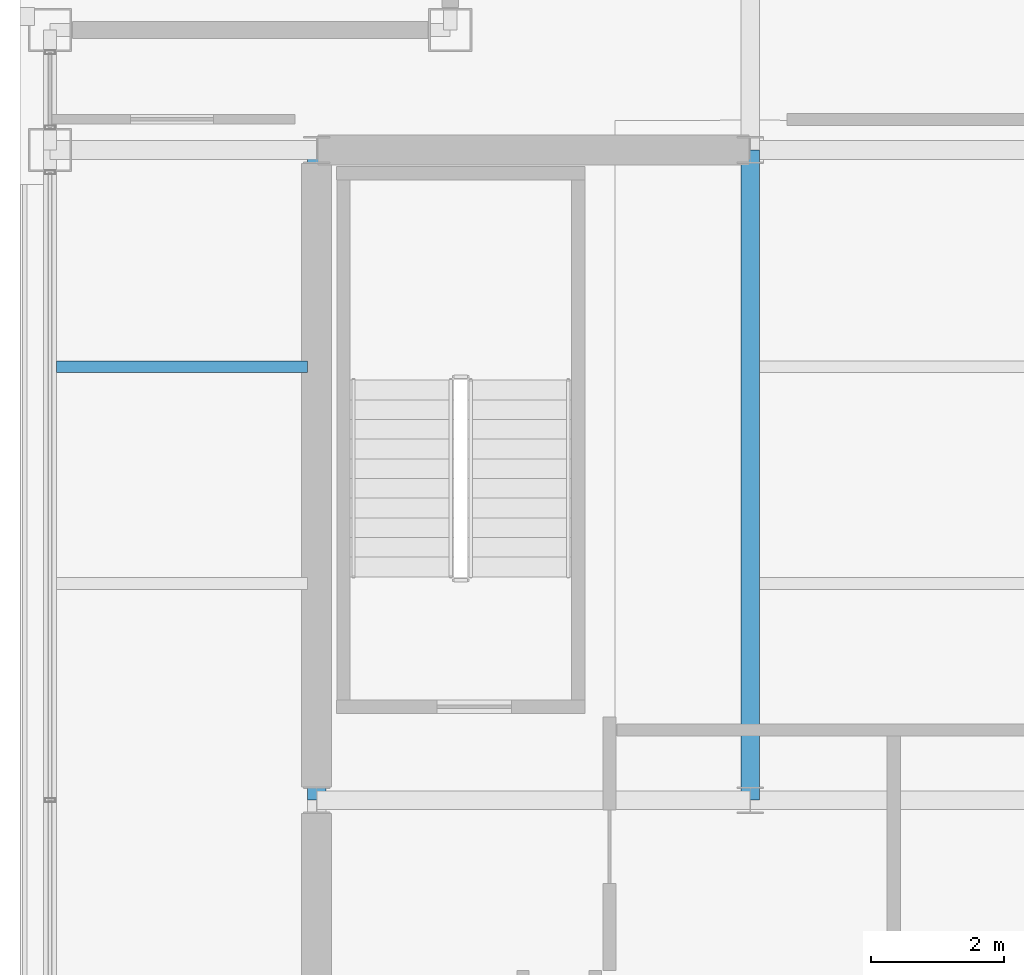
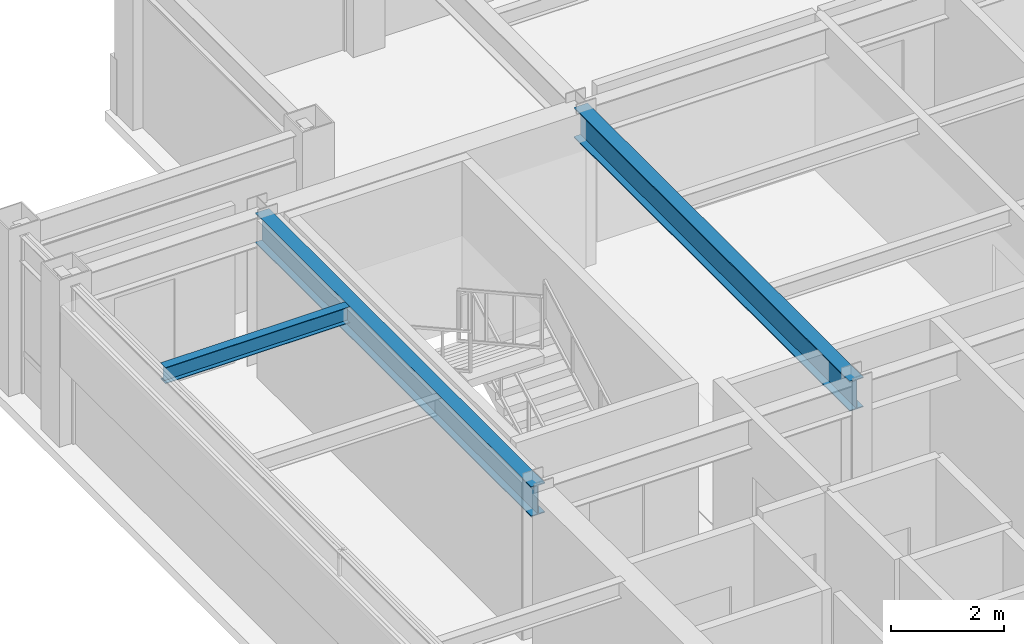
# One storey, part 8 of 24: 3 beams.
"""IFC4 building model written with IfcOpenShell, lengths in metres."""

import ifcopenshell
import ifcopenshell.guid

model = None  # the IFC model being written
_history = None  # IfcOwnerHistory: only IFC2X3 demands one
_inside = {}  # id of a spatial element -> (the spatial element, [elements in it])
_under = {}  # id of a project, library or spatial element -> (it, [spatial elements below it])
_declared = {}  # id of a project -> (the project, [libraries it declares])
_typed = {}  # id of a type object -> (the type object, [elements of that type])
_made_of = {}  # id of a material, layer set ... -> (it, [elements and type objects made of it])


def new_model(schema):
    """Start an empty IFC model of exactly this schema.

    Asked for "IFC4X3", IfcOpenShell would pick the latest addendum, in which some entities
    have other attributes; the version numbers below select the first issue.
    IFC2X3 requires an IfcOwnerHistory on every rooted entity: one is made here for all.
    """
    global model, _history
    if schema == "IFC4X3":
        model = ifcopenshell.file(schema_version=(4, 3, 0, 0))
    else:
        model = ifcopenshell.file(schema=schema)
    _inside.clear()
    _under.clear()
    _declared.clear()
    _typed.clear()
    _made_of.clear()
    _history = None
    if model.schema == "IFC2X3":
        org = make("IfcOrganization", Name="unknown")
        user = make(
            "IfcPersonAndOrganization",
            ThePerson=make("IfcPerson", FamilyName="unknown"),
            TheOrganization=org,
        )
        app = make(
            "IfcApplication",
            ApplicationDeveloper=org,
            Version="unknown",
            ApplicationFullName="unknown",
            ApplicationIdentifier="unknown",
        )
        _history = make(
            "IfcOwnerHistory",
            OwningUser=user,
            OwningApplication=app,
            ChangeAction="ADDED",
            CreationDate=0,
        )
    return model


def make(cls, **values):
    """One entity of the class cls with the attributes given. An attribute that is None is left unset."""
    return model.create_entity(
        cls, **{name: value for name, value in values.items() if value is not None}
    )


def rooted(cls, **values):
    """An entity with a GlobalId (a new one), such as an element, a storey or a relation."""
    return make(cls, GlobalId=ifcopenshell.guid.new(), OwnerHistory=_history, **values)


def si_unit(unit_type, name, prefix=None):
    """IfcSIUnit, for example si_unit("LENGTHUNIT", "METRE", prefix="MILLI")."""
    return make("IfcSIUnit", UnitType=unit_type, Prefix=prefix, Name=name)


def assignment(units):
    """IfcUnitAssignment: the units of a project."""
    return None if units is None else make("IfcUnitAssignment", Units=units)


def point(xyz):
    """IfcCartesianPoint."""
    return None if xyz is None else make("IfcCartesianPoint", Coordinates=xyz)


def direction(xyz):
    """IfcDirection."""
    return None if xyz is None else make("IfcDirection", DirectionRatios=xyz)


def frame(location, z_axis=None, x_axis=None):
    """IfcAxis2Placement3D, a coordinate frame: its origin and axes. An axis left out is left unset."""
    return make(
        "IfcAxis2Placement3D",
        Location=point(location),
        Axis=direction(z_axis),
        RefDirection=direction(x_axis),
    )


def frame_2d(location, x_axis=None):
    """IfcAxis2Placement2D, a coordinate frame in the plane: its origin and x axis."""
    return make(
        "IfcAxis2Placement2D", Location=point(location), RefDirection=direction(x_axis)
    )


def origin():
    """The frame at (0, 0, 0) with its axes left unset."""
    return frame((0.0, 0.0, 0.0))


def origin_2d():
    """The frame at (0, 0) in the plane with its x axis left unset."""
    return frame_2d((0.0, 0.0))


def place(relative_to, where):
    """IfcLocalPlacement: puts the frame where relative to a parent placement (None: the world)."""
    return make(
        "IfcLocalPlacement", PlacementRelTo=relative_to, RelativePlacement=where
    )


def context(
    kind, dimensions, precision=None, world=None, true_north=None, identifier=None
):
    """IfcGeometricRepresentationContext, for example the 3D "Model" context."""
    return make(
        "IfcGeometricRepresentationContext",
        ContextIdentifier=identifier,
        ContextType=kind,
        CoordinateSpaceDimension=dimensions,
        Precision=precision,
        WorldCoordinateSystem=world,
        TrueNorth=true_north,
    )


def subcontext(parent, identifier, kind, view, scale=None):
    """IfcGeometricRepresentationSubContext, for example "Body" below "Model"."""
    return make(
        "IfcGeometricRepresentationSubContext",
        ContextIdentifier=identifier,
        ContextType=kind,
        ParentContext=parent,
        TargetScale=scale,
        TargetView=view,
    )


def project(units=None, contexts=None):
    """IfcProject with its units and contexts."""
    return rooted(
        "IfcProject",
        Name="project",
        RepresentationContexts=contexts,
        UnitsInContext=assignment(units),
    )


def spatial(cls, under=None, at=None, **own):
    """A site, building, storey or space (cls), placed at a placement, below another one or the project."""
    s = rooted(cls, ObjectPlacement=at, **own)
    if under is not None:
        _under.setdefault(under.id(), (under, []))[1].append(s)
    return s


def profile(cls, at=None, kind="AREA", **sizes):
    """A parametric profile (cls). Its sizes go by their IFC names, for example OverallWidth=200.0."""
    return make(cls, ProfileType=kind, Position=at, **sizes)


def i_section(**sizes):
    """IfcIShapeProfileDef."""
    return profile("IfcIShapeProfileDef", **sizes)


def extrude(swept, where, along, depth):
    """IfcExtrudedAreaSolid: the profile swept, set in the frame where, extruded along a direction by depth."""
    return make(
        "IfcExtrudedAreaSolid",
        SweptArea=swept,
        Position=where,
        ExtrudedDirection=direction(along),
        Depth=depth,
    )


def shape(context_of_items, identifier, shape_type, items):
    """IfcShapeRepresentation: the items that make up one representation, for example the "Body"."""
    return make(
        "IfcShapeRepresentation",
        ContextOfItems=context_of_items,
        RepresentationIdentifier=identifier,
        RepresentationType=shape_type,
        Items=items,
    )


def material(Name=None, Category=None):
    """IfcMaterial."""
    return make("IfcMaterial", Name=Name, Category=Category)


def material_profile(
    of_material, cross_section, Name=None, Category=None, Priority=None
):
    """IfcMaterialProfile: a cross section and its material."""
    return make(
        "IfcMaterialProfile",
        Name=Name,
        Material=of_material,
        Profile=cross_section,
        Priority=Priority,
        Category=Category,
    )


def profile_set(profiles, Name=None, composite=None):
    """IfcMaterialProfileSet."""
    return make(
        "IfcMaterialProfileSet",
        Name=Name,
        MaterialProfiles=profiles,
        CompositeProfile=composite,
    )


def made_of(thing, what):
    """Note that an element or type object is made of a material, layer set ...; save() writes the relation."""
    if what is not None:
        _made_of.setdefault(what.id(), (what, []))[1].append(thing)
    return thing


def type_object(cls, material=None, **own):
    """A type object (cls), such as IfcWallType, which elements share."""
    return made_of(rooted(cls, **own), material)


def element(
    cls,
    number,
    at=None,
    inside=None,
    cuts=None,
    type_object=None,
    material=None,
    context=None,
    identifier="Body",
    shape_type=None,
    held_by="IfcProductDefinitionShape",
    body=None,
    shapes=None,
    **own,
):
    """One element of the class cls, such as IfcWall. Its Tag is "e" and its number.

    at: its placement. inside: the storey or other place that contains it. cuts: it is an
    opening in that element (IfcRelVoidsElement). A single representation is given by context,
    identifier, shape_type and body (its items); several are given by shapes. held_by: the class
    of the entity that holds the representations. save() writes the other relations.
    """
    e = rooted(cls, Tag="e%d" % number, ObjectPlacement=at, **own)
    if body is not None:
        shapes = [shape(context, identifier, shape_type, body)]
    if shapes is not None:
        e.Representation = make(held_by, Representations=shapes)
    if inside is not None:
        _inside.setdefault(inside.id(), (inside, []))[1].append(e)
    if cuts is not None:
        rooted(
            "IfcRelVoidsElement", RelatingBuildingElement=cuts, RelatedOpeningElement=e
        )
    if type_object is not None:
        _typed.setdefault(type_object.id(), (type_object, []))[1].append(e)
    return made_of(e, material)


def aggregate(whole, parts):
    """IfcRelAggregates: a whole, such as a stair, and the parts it consists of."""
    return rooted("IfcRelAggregates", RelatingObject=whole, RelatedObjects=parts)


def save(model, path):
    """Write the relations noted so far, then the file.

    IfcRelAggregates (storeys below a building ...), IfcRelContainedInSpatialStructure (elements
    in a storey), IfcRelDefinesByType, IfcRelAssociatesMaterial and IfcRelDeclares: one each for
    every whole, place, type object, material and project.
    """
    for whole, parts in _under.values():
        aggregate(whole, parts)
    for where, things in _inside.values():
        rooted(
            "IfcRelContainedInSpatialStructure",
            RelatedElements=things,
            RelatingStructure=where,
        )
    for kind, things in _typed.values():
        rooted("IfcRelDefinesByType", RelatedObjects=things, RelatingType=kind)
    for what, things in _made_of.values():
        rooted("IfcRelAssociatesMaterial", RelatedObjects=things, RelatingMaterial=what)
    for by, libraries in _declared.values():
        rooted("IfcRelDeclares", RelatingContext=by, RelatedDefinitions=libraries)
    model.write(path)


model = new_model("IFC4")

# Units and contexts
model_context = context("Model", 3, precision=1e-05, world=origin(), true_north=direction((0.0, 1.0)))
body_context = subcontext(model_context, "Body", "Model", "MODEL_VIEW")
ifc_project = project(units=[si_unit("LENGTHUNIT", "METRE"), si_unit("AREAUNIT", "SQUARE_METRE"), si_unit("VOLUMEUNIT", "CUBIC_METRE"), si_unit("PLANEANGLEUNIT", "RADIAN"), si_unit("MASSUNIT", "GRAM", prefix="KILO")], contexts=[model_context])

# Site, building, storey
site_placement = place(None, origin())
site = spatial("IfcSite", under=ifc_project, at=site_placement, CompositionType="ELEMENT")
building_placement = place(site_placement, origin())
building = spatial("IfcBuilding", under=site, at=building_placement, Name="Brelmoor Portico Tower", CompositionType="ELEMENT")
storey_placement = place(building_placement, frame((0.0, 0.0, 229.199951171875)))
storey = spatial("IfcBuildingStorey", under=building, at=storey_placement, Name="L60", CompositionType="ELEMENT", Elevation=229.199951171875)

# Beams
ifc_material = material(Name="Steel Q355B", Category="steel")
ifc_material_profile_1 = material_profile(ifc_material, i_section(OverallWidth=0.175048828125, OverallDepth=0.35009765625, WebThickness=0.007080078125, FlangeThickness=0.010986328125, at=origin_2d()), Name="HN 350x175x7x11")
ifc_profile_set_1 = profile_set([ifc_material_profile_1], Name="Steel Q355B")
beam_type_1 = type_object("IfcBeamType", Name="BM-JS-350", PredefinedType="JOIST", material=ifc_profile_set_1)
beam_placement = place(storey_placement, frame((-18.449951171875, 6.5, 3.22509765625), z_axis=(1.0, 0.0, 0.0), x_axis=(0.0, 1.0, 0.0)))
element("IfcBeam", 1, at=beam_placement, inside=storey, type_object=beam_type_1, Name="L60 Secondary Wing Joist JS-W10", PredefinedType="JOIST", context=body_context, shape_type="SweptSolid", body=[
    extrude(i_section(OverallWidth=0.175048828125, OverallDepth=0.35009765625, WebThickness=0.007080078125, FlangeThickness=0.010986328125, at=origin_2d()), origin(), (0.0, 0.0, 1.0), 3.760009765625),
])
ifc_material_profile_2 = material_profile(ifc_material, i_section(OverallWidth=0.280029296875, OverallDepth=0.64990234375, WebThickness=0.012939453125, FlangeThickness=0.02197265625, at=origin_2d()), Name="HN 650x280x13x22")
ifc_profile_set_2 = profile_set([ifc_material_profile_2], Name="Steel Q355B")
beam_type_2 = type_object("IfcBeamType", Name="BM-PG-650", PredefinedType="BEAM", material=ifc_profile_set_2)
for number, where, z_axis, x_axis, name in (
    (2, (-14.550048828125, 0.0, 3.074951171875), (0.0, 1.0, 0.0), (-1.0, 0.0, 0.0), "L60 Primary Floor Girder PG-02"),
    (3, (-8.050048828125, 0.0, 3.074951171875), (0.0, 1.0, 0.0), (-1.0, 0.0, 0.0), "L60 Primary Floor Girder PG-04"),
):
    element("IfcBeam", number, at=place(storey_placement, frame(where, z_axis=z_axis, x_axis=x_axis)), inside=storey, type_object=beam_type_2, Name=name, PredefinedType="BEAM", context=body_context, shape_type="SweptSolid", body=[
        extrude(i_section(OverallWidth=0.280029296875, OverallDepth=0.64990234375, WebThickness=0.012939453125, FlangeThickness=0.02197265625, at=origin_2d()), origin(), (0.0, 0.0, 1.0), 9.75),
    ])

save(model, "model.ifc")
